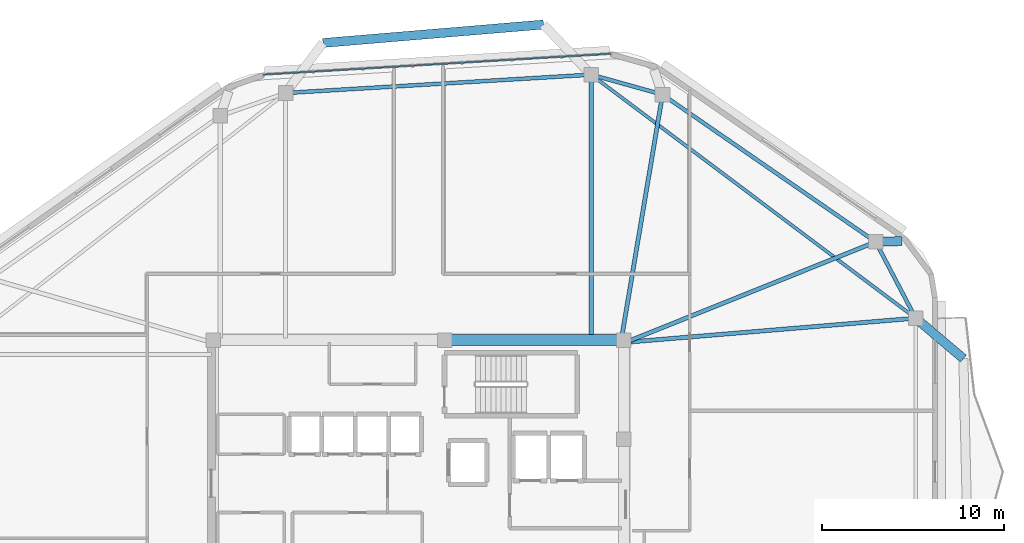
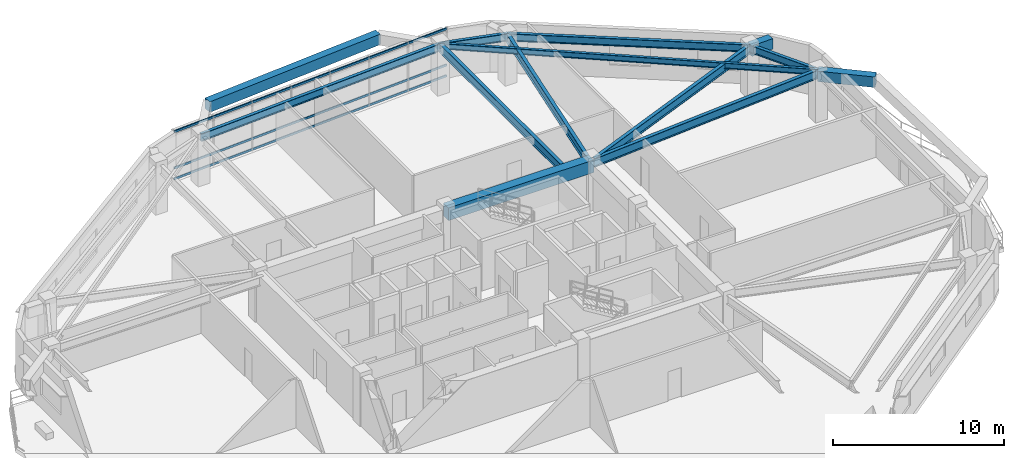
# One storey, part 3 of 12: 13 beams, 3 members, 1 element without a shape of its own.
"""IFC4 building model written with IfcOpenShell, lengths in metres."""

import ifcopenshell
import ifcopenshell.guid

model = None  # the IFC model being written
_history = None  # IfcOwnerHistory: only IFC2X3 demands one
_inside = {}  # id of a spatial element -> (the spatial element, [elements in it])
_under = {}  # id of a project, library or spatial element -> (it, [spatial elements below it])
_declared = {}  # id of a project -> (the project, [libraries it declares])
_typed = {}  # id of a type object -> (the type object, [elements of that type])
_made_of = {}  # id of a material, layer set ... -> (it, [elements and type objects made of it])


def new_model(schema):
    """Start an empty IFC model of exactly this schema.

    Asked for "IFC4X3", IfcOpenShell would pick the latest addendum, in which some entities
    have other attributes; the version numbers below select the first issue.
    IFC2X3 requires an IfcOwnerHistory on every rooted entity: one is made here for all.
    """
    global model, _history
    if schema == "IFC4X3":
        model = ifcopenshell.file(schema_version=(4, 3, 0, 0))
    else:
        model = ifcopenshell.file(schema=schema)
    _inside.clear()
    _under.clear()
    _declared.clear()
    _typed.clear()
    _made_of.clear()
    _history = None
    if model.schema == "IFC2X3":
        org = make("IfcOrganization", Name="unknown")
        user = make(
            "IfcPersonAndOrganization",
            ThePerson=make("IfcPerson", FamilyName="unknown"),
            TheOrganization=org,
        )
        app = make(
            "IfcApplication",
            ApplicationDeveloper=org,
            Version="unknown",
            ApplicationFullName="unknown",
            ApplicationIdentifier="unknown",
        )
        _history = make(
            "IfcOwnerHistory",
            OwningUser=user,
            OwningApplication=app,
            ChangeAction="ADDED",
            CreationDate=0,
        )
    return model


def make(cls, **values):
    """One entity of the class cls with the attributes given. An attribute that is None is left unset."""
    return model.create_entity(
        cls, **{name: value for name, value in values.items() if value is not None}
    )


def rooted(cls, **values):
    """An entity with a GlobalId (a new one), such as an element, a storey or a relation."""
    return make(cls, GlobalId=ifcopenshell.guid.new(), OwnerHistory=_history, **values)


def si_unit(unit_type, name, prefix=None):
    """IfcSIUnit, for example si_unit("LENGTHUNIT", "METRE", prefix="MILLI")."""
    return make("IfcSIUnit", UnitType=unit_type, Prefix=prefix, Name=name)


def assignment(units):
    """IfcUnitAssignment: the units of a project."""
    return None if units is None else make("IfcUnitAssignment", Units=units)


def point(xyz):
    """IfcCartesianPoint."""
    return None if xyz is None else make("IfcCartesianPoint", Coordinates=xyz)


def direction(xyz):
    """IfcDirection."""
    return None if xyz is None else make("IfcDirection", DirectionRatios=xyz)


def frame(location, z_axis=None, x_axis=None):
    """IfcAxis2Placement3D, a coordinate frame: its origin and axes. An axis left out is left unset."""
    return make(
        "IfcAxis2Placement3D",
        Location=point(location),
        Axis=direction(z_axis),
        RefDirection=direction(x_axis),
    )


def frame_2d(location, x_axis=None):
    """IfcAxis2Placement2D, a coordinate frame in the plane: its origin and x axis."""
    return make(
        "IfcAxis2Placement2D", Location=point(location), RefDirection=direction(x_axis)
    )


def origin():
    """The frame at (0, 0, 0) with its axes left unset."""
    return frame((0.0, 0.0, 0.0))


def origin_2d():
    """The frame at (0, 0) in the plane with its x axis left unset."""
    return frame_2d((0.0, 0.0))


def place(relative_to, where):
    """IfcLocalPlacement: puts the frame where relative to a parent placement (None: the world)."""
    return make(
        "IfcLocalPlacement", PlacementRelTo=relative_to, RelativePlacement=where
    )


def context(
    kind, dimensions, precision=None, world=None, true_north=None, identifier=None
):
    """IfcGeometricRepresentationContext, for example the 3D "Model" context."""
    return make(
        "IfcGeometricRepresentationContext",
        ContextIdentifier=identifier,
        ContextType=kind,
        CoordinateSpaceDimension=dimensions,
        Precision=precision,
        WorldCoordinateSystem=world,
        TrueNorth=true_north,
    )


def subcontext(parent, identifier, kind, view, scale=None):
    """IfcGeometricRepresentationSubContext, for example "Body" below "Model"."""
    return make(
        "IfcGeometricRepresentationSubContext",
        ContextIdentifier=identifier,
        ContextType=kind,
        ParentContext=parent,
        TargetScale=scale,
        TargetView=view,
    )


def project(units=None, contexts=None):
    """IfcProject with its units and contexts."""
    return rooted(
        "IfcProject",
        Name="project",
        RepresentationContexts=contexts,
        UnitsInContext=assignment(units),
    )


def spatial(cls, under=None, at=None, **own):
    """A site, building, storey or space (cls), placed at a placement, below another one or the project."""
    s = rooted(cls, ObjectPlacement=at, **own)
    if under is not None:
        _under.setdefault(under.id(), (under, []))[1].append(s)
    return s


def profile(cls, at=None, kind="AREA", **sizes):
    """A parametric profile (cls). Its sizes go by their IFC names, for example OverallWidth=200.0."""
    return make(cls, ProfileType=kind, Position=at, **sizes)


def rectangle(**sizes):
    """IfcRectangleProfileDef."""
    return profile("IfcRectangleProfileDef", **sizes)


def hollow_rectangle(**sizes):
    """IfcRectangleHollowProfileDef."""
    return profile("IfcRectangleHollowProfileDef", **sizes)


def i_section(**sizes):
    """IfcIShapeProfileDef."""
    return profile("IfcIShapeProfileDef", **sizes)


def extrude(swept, where, along, depth):
    """IfcExtrudedAreaSolid: the profile swept, set in the frame where, extruded along a direction by depth."""
    return make(
        "IfcExtrudedAreaSolid",
        SweptArea=swept,
        Position=where,
        ExtrudedDirection=direction(along),
        Depth=depth,
    )


def shape(context_of_items, identifier, shape_type, items):
    """IfcShapeRepresentation: the items that make up one representation, for example the "Body"."""
    return make(
        "IfcShapeRepresentation",
        ContextOfItems=context_of_items,
        RepresentationIdentifier=identifier,
        RepresentationType=shape_type,
        Items=items,
    )


def material(Name=None, Category=None):
    """IfcMaterial."""
    return make("IfcMaterial", Name=Name, Category=Category)


def material_profile(
    of_material, cross_section, Name=None, Category=None, Priority=None
):
    """IfcMaterialProfile: a cross section and its material."""
    return make(
        "IfcMaterialProfile",
        Name=Name,
        Material=of_material,
        Profile=cross_section,
        Priority=Priority,
        Category=Category,
    )


def profile_set(profiles, Name=None, composite=None):
    """IfcMaterialProfileSet."""
    return make(
        "IfcMaterialProfileSet",
        Name=Name,
        MaterialProfiles=profiles,
        CompositeProfile=composite,
    )


def made_of(thing, what):
    """Note that an element or type object is made of a material, layer set ...; save() writes the relation."""
    if what is not None:
        _made_of.setdefault(what.id(), (what, []))[1].append(thing)
    return thing


def type_object(cls, material=None, **own):
    """A type object (cls), such as IfcWallType, which elements share."""
    return made_of(rooted(cls, **own), material)


def element(
    cls,
    number,
    at=None,
    inside=None,
    cuts=None,
    type_object=None,
    material=None,
    context=None,
    identifier="Body",
    shape_type=None,
    held_by="IfcProductDefinitionShape",
    body=None,
    shapes=None,
    **own,
):
    """One element of the class cls, such as IfcWall. Its Tag is "e" and its number.

    at: its placement. inside: the storey or other place that contains it. cuts: it is an
    opening in that element (IfcRelVoidsElement). A single representation is given by context,
    identifier, shape_type and body (its items); several are given by shapes. held_by: the class
    of the entity that holds the representations. save() writes the other relations.
    """
    e = rooted(cls, Tag="e%d" % number, ObjectPlacement=at, **own)
    if body is not None:
        shapes = [shape(context, identifier, shape_type, body)]
    if shapes is not None:
        e.Representation = make(held_by, Representations=shapes)
    if inside is not None:
        _inside.setdefault(inside.id(), (inside, []))[1].append(e)
    if cuts is not None:
        rooted(
            "IfcRelVoidsElement", RelatingBuildingElement=cuts, RelatedOpeningElement=e
        )
    if type_object is not None:
        _typed.setdefault(type_object.id(), (type_object, []))[1].append(e)
    return made_of(e, material)


def aggregate(whole, parts):
    """IfcRelAggregates: a whole, such as a stair, and the parts it consists of."""
    return rooted("IfcRelAggregates", RelatingObject=whole, RelatedObjects=parts)


def save(model, path):
    """Write the relations noted so far, then the file.

    IfcRelAggregates (storeys below a building ...), IfcRelContainedInSpatialStructure (elements
    in a storey), IfcRelDefinesByType, IfcRelAssociatesMaterial and IfcRelDeclares: one each for
    every whole, place, type object, material and project.
    """
    for whole, parts in _under.values():
        aggregate(whole, parts)
    for where, things in _inside.values():
        rooted(
            "IfcRelContainedInSpatialStructure",
            RelatedElements=things,
            RelatingStructure=where,
        )
    for kind, things in _typed.values():
        rooted("IfcRelDefinesByType", RelatedObjects=things, RelatingType=kind)
    for what, things in _made_of.values():
        rooted("IfcRelAssociatesMaterial", RelatedObjects=things, RelatingMaterial=what)
    for by, libraries in _declared.values():
        rooted("IfcRelDeclares", RelatingContext=by, RelatedDefinitions=libraries)
    model.write(path)


model = new_model("IFC4")

# Units and contexts
model_context = context("Model", 3, precision=1e-05, world=origin(), true_north=direction((0.0, 1.0)))
body_context = subcontext(model_context, "Body", "Model", "MODEL_VIEW")
ifc_project = project(units=[si_unit("LENGTHUNIT", "METRE"), si_unit("AREAUNIT", "SQUARE_METRE"), si_unit("VOLUMEUNIT", "CUBIC_METRE"), si_unit("PLANEANGLEUNIT", "RADIAN"), si_unit("MASSUNIT", "GRAM", prefix="KILO")], contexts=[model_context])

# Site, building, storey
site_placement = place(None, origin())
site = spatial("IfcSite", under=ifc_project, at=site_placement, CompositionType="ELEMENT")
building_placement = place(site_placement, origin())
building = spatial("IfcBuilding", under=site, at=building_placement, Name="Zulverin Broadcast Headquarters", CompositionType="ELEMENT")
storey_placement = place(building_placement, frame((0.0, 0.0, 263.0)))
storey = spatial("IfcBuildingStorey", under=building, at=storey_placement, Name="L67", CompositionType="ELEMENT", Elevation=263.0)

# Beams
ifc_material_1 = material(Name="Concrete C60/75", Category="concrete")
ifc_material_profile_1 = material_profile(ifc_material_1, rectangle(XDim=0.60009765625, YDim=0.89990234375, at=origin_2d()), Name="Concrete C60/75", Category="concrete")
ifc_profile_set_1 = profile_set([ifc_material_profile_1], Name="Concrete C60/75")
beam_type_1 = type_object("IfcBeamType", Name="BM-CB-600x900", PredefinedType="LINTEL", material=ifc_profile_set_1)
beam_1_placement = place(storey_placement, frame((48.27490234375, 33.074951171875, 3.06005859375), z_axis=(-1.0, 0.0, 0.0), x_axis=(0.0, -1.0, 0.0)))
element("IfcBeam", 1, at=beam_1_placement, inside=storey, type_object=beam_type_1, Name="L67 Core Coupling Girder K05-K06", PredefinedType="LINTEL", context=body_context, shape_type="SweptSolid", body=[
    extrude(rectangle(XDim=0.60009765625, YDim=0.89990234375, at=origin_2d()), origin(), (0.0, 0.0, 1.0), 9.824951171875),
])
ifc_material_2 = material(Name="Concrete C40/50", Category="concrete")
ifc_material_profile_2 = material_profile(ifc_material_2, rectangle(XDim=0.5, YDim=0.75, at=origin_2d()), Name="Concrete C40/50", Category="concrete")
ifc_profile_set_2 = profile_set([ifc_material_profile_2], Name="Concrete C40/50")
beam_type_2 = type_object("IfcBeamType", Name="BM-RC-500x750", PredefinedType="BEAM", material=ifc_profile_set_2)
beam_2_placement = place(storey_placement, frame((62.102783203125, 38.465087890625, 3.135009765625), z_axis=(0.99949018153, 0.031927684309, 0.0), x_axis=(-0.031927684309, 0.99949018153, 0.0)))
element("IfcBeam", 2, at=beam_2_placement, inside=storey, type_object=beam_type_2, Name="L68 Plate Overhang Back-Spanned Beam OVR-07", PredefinedType="BEAM", context=body_context, shape_type="SweptSolid", body=[
    extrude(rectangle(XDim=0.5, YDim=0.75, at=origin_2d()), origin(), (0.0, 0.0, 1.0), 1.429931640625),
])
beam_3_placement = place(storey_placement, frame((64.300048828125, 34.275634765625, 3.135009765625), z_axis=(0.763353905541, -0.64598050659, 0.0), x_axis=(0.64598050659, 0.763353905541, 0.0)))
element("IfcBeam", 3, at=beam_3_placement, inside=storey, type_object=beam_type_2, Name="L68 Balcony Column-Framed Cantilever BAL_E-2", PredefinedType="BEAM", context=body_context, shape_type="SweptSolid", body=[
    extrude(rectangle(XDim=0.5, YDim=0.75, at=origin_2d()), origin(), (0.0, 0.0, 1.0), 3.43212890625),
])
beam_4_placement = place(storey_placement, frame((43.86181640625, 50.401123046875, 3.135009765625), z_axis=(-0.996524670162, -0.083298149786, 0.0), x_axis=(0.083298149786, -0.996524670162, 0.0)))
element("IfcBeam", 4, at=beam_4_placement, inside=storey, type_object=beam_type_2, Name="L68 Balcony Outer Edge Trimmer Beam BAL_N", PredefinedType="BEAM", context=body_context, shape_type="SweptSolid", body=[
    extrude(rectangle(XDim=0.5, YDim=0.75, at=origin_2d()), origin(), (0.0, 0.0, 1.0), 12.154541015625),
])
ifc_material_3 = material(Name="Structural steel S355JR", Category="steel")
ifc_material_profile_3 = material_profile(ifc_material_3, i_section(OverallWidth=0.179443359375, OverallDepth=0.412841796875, WebThickness=0.009521484375, FlangeThickness=0.01611328125, at=origin_2d()), Name="Structural steel S355JR", Category="steel")
ifc_profile_set_3 = profile_set([ifc_material_profile_3], Name="Structural steel S355JR")
beam_type_3 = type_object("IfcBeamType", Name="BM-UB-406", PredefinedType="JOIST", material=ifc_profile_set_3)
beam_5_placement = place(storey_placement, frame((64.300048828125, 34.275634765625, 3.3037109375), z_axis=(-0.799809280949, 0.600254207905, 0.0), x_axis=(-0.600254207905, -0.799809280949, 0.0)))
element("IfcBeam", 5, at=beam_5_placement, inside=storey, type_object=beam_type_3, Name="L67 Chordal Floor Joist J-02", PredefinedType="JOIST", context=body_context, shape_type="SweptSolid", body=[
    extrude(i_section(OverallWidth=0.179443359375, OverallDepth=0.412841796875, WebThickness=0.009521484375, FlangeThickness=0.01611328125, at=origin_2d()), origin(), (0.0, 0.0, 1.0), 22.278564453125),
])
ifc_material_profile_4 = material_profile(ifc_material_3, i_section(OverallWidth=0.2119140625, OverallDepth=0.54443359375, WebThickness=0.0126953125, FlangeThickness=0.021240234375, at=origin_2d()), Name="Structural steel S355JR", Category="steel")
ifc_profile_set_4 = profile_set([ifc_material_profile_4], Name="Structural steel S355JR")
beam_type_4 = type_object("IfcBeamType", Name="BM-UB-533", PredefinedType="SPANDREL", material=ifc_profile_set_4)
beam_6_placement = place(storey_placement, frame((64.300048828125, 34.275634765625, 3.23779296875), z_axis=(-0.464469748171, 0.885588986513, 0.0), x_axis=(-0.885588986513, -0.464469748171, 0.0)))
element("IfcBeam", 6, at=beam_6_placement, inside=storey, type_object=beam_type_4, Name="L67 Perimeter Spandrel Beam SP-06", PredefinedType="SPANDREL", context=body_context, shape_type="SweptSolid", body=[
    extrude(i_section(OverallWidth=0.2119140625, OverallDepth=0.54443359375, WebThickness=0.0126953125, FlangeThickness=0.021240234375, at=origin_2d()), origin(), (0.0, 0.0, 1.0), 4.730712890625),
])
beam_7_placement = place(storey_placement, frame((62.102783203125, 38.465087890625, 3.23779296875), z_axis=(-0.822652126292, 0.568545054597, 0.0), x_axis=(-0.568545054597, -0.822652126292, 0.0)))
element("IfcBeam", 7, at=beam_7_placement, inside=storey, type_object=beam_type_4, Name="L67 Perimeter Spandrel Beam SP-07", PredefinedType="SPANDREL", context=body_context, shape_type="SweptSolid", body=[
    extrude(i_section(OverallWidth=0.2119140625, OverallDepth=0.54443359375, WebThickness=0.0126953125, FlangeThickness=0.021240234375, at=origin_2d()), origin(), (0.0, 0.0, 1.0), 14.228271484375),
])
beam_8_placement = place(storey_placement, frame((50.39794921875, 46.554443359375, 3.23779296875), z_axis=(-0.963131566005, 0.26903082828, 0.0), x_axis=(-0.26903082828, -0.963131566005, 0.0)))
element("IfcBeam", 8, at=beam_8_placement, inside=storey, type_object=beam_type_4, Name="L67 Perimeter Spandrel Beam SP-08", PredefinedType="SPANDREL", context=body_context, shape_type="SweptSolid", body=[
    extrude(i_section(OverallWidth=0.2119140625, OverallDepth=0.54443359375, WebThickness=0.0126953125, FlangeThickness=0.021240234375, at=origin_2d()), origin(), (0.0, 0.0, 1.0), 4.06640625),
])
beam_9_placement = place(storey_placement, frame((46.4814453125, 47.6484375, 3.23779296875), z_axis=(-0.99820314332, -0.059920653088, 0.0), x_axis=(0.059920653088, -0.99820314332, 0.0)))
element("IfcBeam", 9, at=beam_9_placement, inside=storey, type_object=beam_type_4, Name="L67 Perimeter Spandrel Beam SP-09", PredefinedType="SPANDREL", context=body_context, shape_type="SweptSolid", body=[
    extrude(i_section(OverallWidth=0.2119140625, OverallDepth=0.54443359375, WebThickness=0.0126953125, FlangeThickness=0.021240234375, at=origin_2d()), origin(), (0.0, 0.0, 1.0), 16.81103515625),
])
ifc_material_profile_5 = material_profile(ifc_material_3, i_section(OverallWidth=0.230224609375, OverallDepth=0.6171875, WebThickness=0.01318359375, FlangeThickness=0.022216796875, at=origin_2d()), Name="Structural steel S355JR", Category="steel")
ifc_profile_set_5 = profile_set([ifc_material_profile_5], Name="Structural steel S355JR")
beam_type_5 = type_object("IfcBeamType", Name="BM-UB-610", PredefinedType="BEAM", material=ifc_profile_set_5)
beam_10_placement = place(storey_placement, frame((48.375, 32.949951171875, 3.201416015625), z_axis=(0.996553024533, 0.082958238256, 0.0), x_axis=(-0.082958238256, 0.996553024533, 0.0)))
element("IfcBeam", 10, at=beam_10_placement, inside=storey, type_object=beam_type_5, Name="L67 Radial Primary Floor Beam RB-06", PredefinedType="BEAM", context=body_context, shape_type="SweptSolid", body=[
    extrude(i_section(OverallWidth=0.230224609375, OverallDepth=0.6171875, WebThickness=0.01318359375, FlangeThickness=0.022216796875, at=origin_2d()), origin(), (0.0, 0.0, 1.0), 15.980224609375),
])
beam_11_placement = place(storey_placement, frame((48.375, 32.949951171875, 3.201416015625), z_axis=(0.927915690744, 0.37279011638, 0.0), x_axis=(-0.37279011638, 0.927915690744, 0.0)))
element("IfcBeam", 11, at=beam_11_placement, inside=storey, type_object=beam_type_5, Name="L67 Radial Primary Floor Beam RB-07", PredefinedType="BEAM", context=body_context, shape_type="SweptSolid", body=[
    extrude(i_section(OverallWidth=0.230224609375, OverallDepth=0.6171875, WebThickness=0.01318359375, FlangeThickness=0.022216796875, at=origin_2d()), origin(), (0.0, 0.0, 1.0), 14.794189453125),
])
beam_12_placement = place(storey_placement, frame((48.14990234375, 33.175048828125, 3.201416015625), z_axis=(0.165700339104, 0.986176149388, 0.0), x_axis=(-0.986176149388, 0.165700339104, 0.0)))
element("IfcBeam", 12, at=beam_12_placement, inside=storey, type_object=beam_type_5, Name="L67 Radial Primary Floor Beam RB-08", PredefinedType="BEAM", context=body_context, shape_type="SweptSolid", body=[
    extrude(i_section(OverallWidth=0.230224609375, OverallDepth=0.6171875, WebThickness=0.01318359375, FlangeThickness=0.022216796875, at=origin_2d()), origin(), (0.0, 0.0, 1.0), 13.56689453125),
])
beam_13_placement = place(storey_placement, frame((46.4814453125, 33.175048828125, 3.201416015625), z_axis=(0.0, 1.0, 0.0), x_axis=(-1.0, 0.0, 0.0)))
element("IfcBeam", 13, at=beam_13_placement, inside=storey, type_object=beam_type_5, Name="L67 Radial Primary Floor Beam RB-09", PredefinedType="BEAM", context=body_context, shape_type="SweptSolid", body=[
    extrude(i_section(OverallWidth=0.230224609375, OverallDepth=0.6171875, WebThickness=0.01318359375, FlangeThickness=0.022216796875, at=origin_2d()), origin(), (0.0, 0.0, 1.0), 14.473388671875),
])

# Curtain wall, members
ifc_material_4 = material(Name="High-zone solar-control unitised curtain wall", Category="aluminium")
curtain_wall_type = type_object("IfcCurtainWallType", Name="CW-TWR-UPP", PredefinedType="USERDEFINED", material=ifc_material_4)
curtain_wall_placement = place(storey_placement, origin())
curtain_wall = element("IfcCurtainWall", 14, at=curtain_wall_placement, inside=storey, type_object=curtain_wall_type, Name="L67 Unitised Curtain Wall CW-L67-E5", ObjectType="UNITISED CURTAIN WALL", PredefinedType="USERDEFINED")
ifc_material_5 = material(Name="Anodized pale-metal aluminium alloy 6063-T6", Category="aluminium")
ifc_material_profile_6 = material_profile(ifc_material_5, hollow_rectangle(XDim=0.074951171875, YDim=0.14990234375, WallThickness=0.0048828125, at=origin_2d()), Name="Anodized pale-metal aluminium alloy 6063-T6", Category="aluminium")
ifc_profile_set_6 = profile_set([ifc_material_profile_6], Name="Anodized pale-metal aluminium alloy 6063-T6")
member_type = type_object("IfcMemberType", Name="CW-TRN-150", PredefinedType="USERDEFINED", material=ifc_profile_set_6)
member_1_placement = place(storey_placement, frame((47.564697265625, 48.79541015625, 0.074951171875), z_axis=(-0.998202767485, -0.059926913695, 0.0), x_axis=(0.059926913695, -0.998202767485, 0.0)))
member_1 = element("IfcMember", 15, at=member_1_placement, type_object=member_type, Name="CW-L67-E5 Transom 0", ObjectType="TRANSOM", PredefinedType="USERDEFINED", context=body_context, shape_type="SweptSolid", body=[
    extrude(hollow_rectangle(XDim=0.074951171875, YDim=0.14990234375, WallThickness=0.0048828125, at=origin_2d()), origin(), (0.0, 0.0, 1.0), 19.111083984375),
])
member_2_placement = place(storey_placement, frame((47.564697265625, 48.79541015625, 0.84228515625), z_axis=(-0.998202767485, -0.059926913695, 0.0), x_axis=(0.059926913695, -0.998202767485, 0.0)))
member_2 = element("IfcMember", 16, at=member_2_placement, type_object=member_type, Name="CW-L67-E5 Transom 1", ObjectType="TRANSOM", PredefinedType="USERDEFINED", context=body_context, shape_type="SweptSolid", body=[
    extrude(hollow_rectangle(XDim=0.074951171875, YDim=0.14990234375, WallThickness=0.0048828125, at=origin_2d()), origin(), (0.0, 0.0, 1.0), 19.111083984375),
])
member_3_placement = place(storey_placement, frame((47.564697265625, 48.79541015625, 3.43505859375), z_axis=(-0.998202767485, -0.059926913695, 0.0), x_axis=(0.059926913695, -0.998202767485, 0.0)))
member_3 = element("IfcMember", 17, at=member_3_placement, type_object=member_type, Name="CW-L67-E5 Transom 2", ObjectType="TRANSOM", PredefinedType="USERDEFINED", context=body_context, shape_type="SweptSolid", body=[
    extrude(hollow_rectangle(XDim=0.074951171875, YDim=0.14990234375, WallThickness=0.0048828125, at=origin_2d()), origin(), (0.0, 0.0, 1.0), 19.111083984375),
])
aggregate(curtain_wall, [member_1, member_2, member_3])

save(model, "model.ifc")
